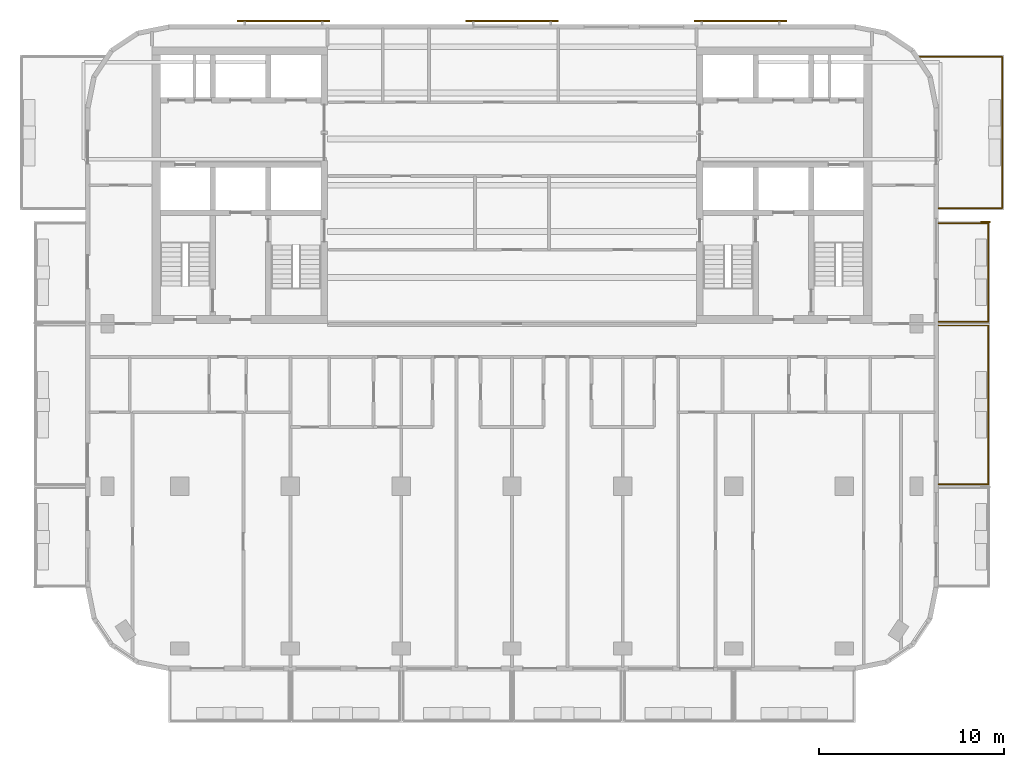
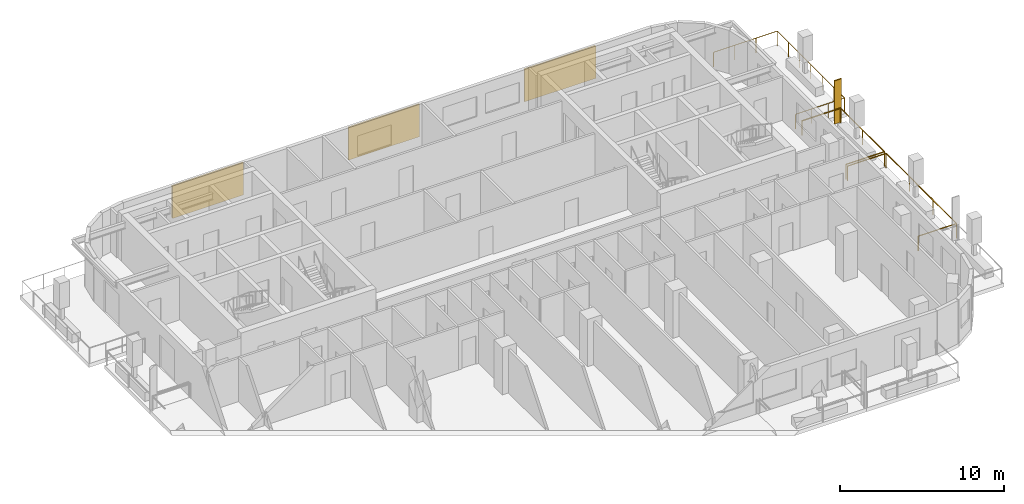
# One storey, part 10 of 11: 4 shading devices, 3 railings.
"""IFC4 building model written with IfcOpenShell, lengths in metres."""

import ifcopenshell
import ifcopenshell.guid

model = None  # the IFC model being written
_history = None  # IfcOwnerHistory: only IFC2X3 demands one
_inside = {}  # id of a spatial element -> (the spatial element, [elements in it])
_under = {}  # id of a project, library or spatial element -> (it, [spatial elements below it])
_declared = {}  # id of a project -> (the project, [libraries it declares])
_typed = {}  # id of a type object -> (the type object, [elements of that type])
_made_of = {}  # id of a material, layer set ... -> (it, [elements and type objects made of it])


def new_model(schema):
    """Start an empty IFC model of exactly this schema.

    Asked for "IFC4X3", IfcOpenShell would pick the latest addendum, in which some entities
    have other attributes; the version numbers below select the first issue.
    IFC2X3 requires an IfcOwnerHistory on every rooted entity: one is made here for all.
    """
    global model, _history
    if schema == "IFC4X3":
        model = ifcopenshell.file(schema_version=(4, 3, 0, 0))
    else:
        model = ifcopenshell.file(schema=schema)
    _inside.clear()
    _under.clear()
    _declared.clear()
    _typed.clear()
    _made_of.clear()
    _history = None
    if model.schema == "IFC2X3":
        org = make("IfcOrganization", Name="unknown")
        user = make(
            "IfcPersonAndOrganization",
            ThePerson=make("IfcPerson", FamilyName="unknown"),
            TheOrganization=org,
        )
        app = make(
            "IfcApplication",
            ApplicationDeveloper=org,
            Version="unknown",
            ApplicationFullName="unknown",
            ApplicationIdentifier="unknown",
        )
        _history = make(
            "IfcOwnerHistory",
            OwningUser=user,
            OwningApplication=app,
            ChangeAction="ADDED",
            CreationDate=0,
        )
    return model


def make(cls, **values):
    """One entity of the class cls with the attributes given. An attribute that is None is left unset."""
    return model.create_entity(
        cls, **{name: value for name, value in values.items() if value is not None}
    )


def rooted(cls, **values):
    """An entity with a GlobalId (a new one), such as an element, a storey or a relation."""
    return make(cls, GlobalId=ifcopenshell.guid.new(), OwnerHistory=_history, **values)


def si_unit(unit_type, name, prefix=None):
    """IfcSIUnit, for example si_unit("LENGTHUNIT", "METRE", prefix="MILLI")."""
    return make("IfcSIUnit", UnitType=unit_type, Prefix=prefix, Name=name)


def assignment(units):
    """IfcUnitAssignment: the units of a project."""
    return None if units is None else make("IfcUnitAssignment", Units=units)


def point(xyz):
    """IfcCartesianPoint."""
    return None if xyz is None else make("IfcCartesianPoint", Coordinates=xyz)


def direction(xyz):
    """IfcDirection."""
    return None if xyz is None else make("IfcDirection", DirectionRatios=xyz)


def frame(location, z_axis=None, x_axis=None):
    """IfcAxis2Placement3D, a coordinate frame: its origin and axes. An axis left out is left unset."""
    return make(
        "IfcAxis2Placement3D",
        Location=point(location),
        Axis=direction(z_axis),
        RefDirection=direction(x_axis),
    )


def frame_2d(location, x_axis=None):
    """IfcAxis2Placement2D, a coordinate frame in the plane: its origin and x axis."""
    return make(
        "IfcAxis2Placement2D", Location=point(location), RefDirection=direction(x_axis)
    )


def origin():
    """The frame at (0, 0, 0) with its axes left unset."""
    return frame((0.0, 0.0, 0.0))


def origin_2d():
    """The frame at (0, 0) in the plane with its x axis left unset."""
    return frame_2d((0.0, 0.0))


def place(relative_to, where):
    """IfcLocalPlacement: puts the frame where relative to a parent placement (None: the world)."""
    return make(
        "IfcLocalPlacement", PlacementRelTo=relative_to, RelativePlacement=where
    )


def context(
    kind, dimensions, precision=None, world=None, true_north=None, identifier=None
):
    """IfcGeometricRepresentationContext, for example the 3D "Model" context."""
    return make(
        "IfcGeometricRepresentationContext",
        ContextIdentifier=identifier,
        ContextType=kind,
        CoordinateSpaceDimension=dimensions,
        Precision=precision,
        WorldCoordinateSystem=world,
        TrueNorth=true_north,
    )


def subcontext(parent, identifier, kind, view, scale=None):
    """IfcGeometricRepresentationSubContext, for example "Body" below "Model"."""
    return make(
        "IfcGeometricRepresentationSubContext",
        ContextIdentifier=identifier,
        ContextType=kind,
        ParentContext=parent,
        TargetScale=scale,
        TargetView=view,
    )


def project(units=None, contexts=None):
    """IfcProject with its units and contexts."""
    return rooted(
        "IfcProject",
        Name="project",
        RepresentationContexts=contexts,
        UnitsInContext=assignment(units),
    )


def spatial(cls, under=None, at=None, **own):
    """A site, building, storey or space (cls), placed at a placement, below another one or the project."""
    s = rooted(cls, ObjectPlacement=at, **own)
    if under is not None:
        _under.setdefault(under.id(), (under, []))[1].append(s)
    return s


def profile(cls, at=None, kind="AREA", **sizes):
    """A parametric profile (cls). Its sizes go by their IFC names, for example OverallWidth=200.0."""
    return make(cls, ProfileType=kind, Position=at, **sizes)


def rectangle(**sizes):
    """IfcRectangleProfileDef."""
    return profile("IfcRectangleProfileDef", **sizes)


def circle(**sizes):
    """IfcCircleProfileDef."""
    return profile("IfcCircleProfileDef", **sizes)


def extrude(swept, where, along, depth):
    """IfcExtrudedAreaSolid: the profile swept, set in the frame where, extruded along a direction by depth."""
    return make(
        "IfcExtrudedAreaSolid",
        SweptArea=swept,
        Position=where,
        ExtrudedDirection=direction(along),
        Depth=depth,
    )


def shape(context_of_items, identifier, shape_type, items):
    """IfcShapeRepresentation: the items that make up one representation, for example the "Body"."""
    return make(
        "IfcShapeRepresentation",
        ContextOfItems=context_of_items,
        RepresentationIdentifier=identifier,
        RepresentationType=shape_type,
        Items=items,
    )


def material(Name=None, Category=None):
    """IfcMaterial."""
    return make("IfcMaterial", Name=Name, Category=Category)


def layer(
    of_material, thickness, ventilated=None, Name=None, Category=None, Priority=None
):
    """IfcMaterialLayer: one layer of a wall or slab, of a material (None: an air gap)."""
    return make(
        "IfcMaterialLayer",
        Material=of_material,
        LayerThickness=thickness,
        IsVentilated=ventilated,
        Name=Name,
        Category=Category,
        Priority=Priority,
    )


def layer_set(layers, Name=None):
    """IfcMaterialLayerSet."""
    return make("IfcMaterialLayerSet", MaterialLayers=layers, LayerSetName=Name)


def made_of(thing, what):
    """Note that an element or type object is made of a material, layer set ...; save() writes the relation."""
    if what is not None:
        _made_of.setdefault(what.id(), (what, []))[1].append(thing)
    return thing


def type_object(cls, material=None, **own):
    """A type object (cls), such as IfcWallType, which elements share."""
    return made_of(rooted(cls, **own), material)


def element(
    cls,
    number,
    at=None,
    inside=None,
    cuts=None,
    type_object=None,
    material=None,
    context=None,
    identifier="Body",
    shape_type=None,
    held_by="IfcProductDefinitionShape",
    body=None,
    shapes=None,
    **own,
):
    """One element of the class cls, such as IfcWall. Its Tag is "e" and its number.

    at: its placement. inside: the storey or other place that contains it. cuts: it is an
    opening in that element (IfcRelVoidsElement). A single representation is given by context,
    identifier, shape_type and body (its items); several are given by shapes. held_by: the class
    of the entity that holds the representations. save() writes the other relations.
    """
    e = rooted(cls, Tag="e%d" % number, ObjectPlacement=at, **own)
    if body is not None:
        shapes = [shape(context, identifier, shape_type, body)]
    if shapes is not None:
        e.Representation = make(held_by, Representations=shapes)
    if inside is not None:
        _inside.setdefault(inside.id(), (inside, []))[1].append(e)
    if cuts is not None:
        rooted(
            "IfcRelVoidsElement", RelatingBuildingElement=cuts, RelatedOpeningElement=e
        )
    if type_object is not None:
        _typed.setdefault(type_object.id(), (type_object, []))[1].append(e)
    return made_of(e, material)


def aggregate(whole, parts):
    """IfcRelAggregates: a whole, such as a stair, and the parts it consists of."""
    return rooted("IfcRelAggregates", RelatingObject=whole, RelatedObjects=parts)


def save(model, path):
    """Write the relations noted so far, then the file.

    IfcRelAggregates (storeys below a building ...), IfcRelContainedInSpatialStructure (elements
    in a storey), IfcRelDefinesByType, IfcRelAssociatesMaterial and IfcRelDeclares: one each for
    every whole, place, type object, material and project.
    """
    for whole, parts in _under.values():
        aggregate(whole, parts)
    for where, things in _inside.values():
        rooted(
            "IfcRelContainedInSpatialStructure",
            RelatedElements=things,
            RelatingStructure=where,
        )
    for kind, things in _typed.values():
        rooted("IfcRelDefinesByType", RelatedObjects=things, RelatingType=kind)
    for what, things in _made_of.values():
        rooted("IfcRelAssociatesMaterial", RelatedObjects=things, RelatingMaterial=what)
    for by, libraries in _declared.values():
        rooted("IfcRelDeclares", RelatingContext=by, RelatedDefinitions=libraries)
    model.write(path)


model = new_model("IFC4")

# Units and contexts
model_context = context("Model", 3, precision=1e-05, world=origin(), true_north=direction((0.0, 1.0)))
body_context = subcontext(model_context, "Body", "Model", "MODEL_VIEW")
ifc_project = project(units=[si_unit("LENGTHUNIT", "METRE"), si_unit("AREAUNIT", "SQUARE_METRE"), si_unit("VOLUMEUNIT", "CUBIC_METRE"), si_unit("PLANEANGLEUNIT", "RADIAN"), si_unit("MASSUNIT", "GRAM", prefix="KILO")], contexts=[model_context])

# Site, building, storey
site_placement = place(None, origin())
site = spatial("IfcSite", under=ifc_project, at=site_placement, CompositionType="ELEMENT")
building_placement = place(site_placement, origin())
building = spatial("IfcBuilding", under=site, at=building_placement, Name="Torana Hotel and Residences", CompositionType="ELEMENT")
storey_placement = place(building_placement, frame((0.0, 0.0, 259.60009765625)))
storey = spatial("IfcBuildingStorey", under=building, at=storey_placement, Name="L68", CompositionType="ELEMENT", Elevation=259.60009765625)

# Shading device
ifc_material_1 = material(Name="Black powder coated aluminium", Category="aluminium")
ifc_layer_1 = layer(ifc_material_1, 0.080078125)
ifc_layer_set_1 = layer_set([ifc_layer_1], Name="FN1 VERTICAL FIN 500x80")
shading_device_type_1 = type_object("IfcShadingDeviceType", Name="FN1 VERTICAL FIN 500x80", PredefinedType="USERDEFINED", material=ifc_layer_set_1)
shading_device_placement = place(storey_placement, frame((25.64990234375, -9.489990234375, 0.0), z_axis=(0.0, 0.0, 1.0), x_axis=(0.0, -1.0, 0.0)))
element("IfcShadingDevice", 1, at=shading_device_placement, inside=storey, type_object=shading_device_type_1, Name="Fin 13", ObjectType="FIN", PredefinedType="USERDEFINED", context=body_context, shape_type="SweptSolid", body=[
    extrude(rectangle(XDim=0.080078125, YDim=0.5, at=origin_2d()), origin(), (0.0, 0.0, 1.0), 3.219970703125),
])

# Railings
ifc_material_2 = material(Name="Laminated glass balustrade with black handrail", Category="glass")
railing_type = type_object("IfcRailingType", Name="GR1 BALCONY GUARD 1100 GLASS", PredefinedType="GUARDRAIL", material=ifc_material_2)
railing_1_placement = place(storey_placement, frame((23.10009765625, -15.10009765625, 0.0)))
element("IfcRailing", 2, at=railing_1_placement, inside=storey, type_object=railing_type, Name="Balcony guard 12", PredefinedType="GUARDRAIL", context=body_context, shape_type="SweptSolid", body=[
    extrude(circle(Radius=0.02392578125, at=origin_2d()), frame((0.0, 0.0, 1.076171875), z_axis=(1.0, 0.0, 0.0), x_axis=(0.0, 1.0, 0.0)), (0.0, 0.0, 1.0), 2.699951171875),
    extrude(circle(Radius=0.02392578125, at=origin_2d()), frame((2.699951171875, 0.0, 1.076171875), z_axis=(0.0, -1.0, 0.0), x_axis=(1.0, 0.0, 0.0)), (0.0, 0.0, 1.0), 8.599853515625),
    extrude(circle(Radius=0.02392578125, at=origin_2d()), frame((2.699951171875, -8.599853515625, 1.076171875), z_axis=(-1.0, 0.0, 0.0), x_axis=(0.0, -1.0, 0.0)), (0.0, 0.0, 1.0), 2.699951171875),
    extrude(circle(Radius=0.02099609375, at=origin_2d()), origin(), (0.0, 0.0, 1.0), 1.052001953125),
    extrude(circle(Radius=0.02099609375, at=origin_2d()), frame((2.699951171875, 0.0, 0.0)), (0.0, 0.0, 1.0), 1.052001953125),
    extrude(circle(Radius=0.02099609375, at=origin_2d()), frame((2.699951171875, -2.86669921875, 0.0)), (0.0, 0.0, 1.0), 1.052001953125),
    extrude(circle(Radius=0.02099609375, at=origin_2d()), frame((2.699951171875, -5.733154296875, 0.0)), (0.0, 0.0, 1.0), 1.052001953125),
    extrude(circle(Radius=0.02099609375, at=origin_2d()), frame((2.699951171875, -8.599853515625, 0.0)), (0.0, 0.0, 1.0), 1.052001953125),
    extrude(circle(Radius=0.02099609375, at=origin_2d()), frame((0.0, -8.599853515625, 0.0)), (0.0, 0.0, 1.0), 1.052001953125),
])
railing_2_placement = place(storey_placement, frame((23.10009765625, -9.550048828125, 0.0)))
element("IfcRailing", 3, at=railing_2_placement, inside=storey, type_object=railing_type, Name="Balcony guard 13", PredefinedType="GUARDRAIL", context=body_context, shape_type="SweptSolid", body=[
    extrude(circle(Radius=0.02392578125, at=origin_2d()), frame((0.0, 0.0, 1.076171875), z_axis=(1.0, 0.0, 0.0), x_axis=(0.0, 1.0, 0.0)), (0.0, 0.0, 1.0), 2.699951171875),
    extrude(circle(Radius=0.02392578125, at=origin_2d()), frame((2.699951171875, 0.0, 1.076171875), z_axis=(0.0, -1.0, 0.0), x_axis=(1.0, 0.0, 0.0)), (0.0, 0.0, 1.0), 5.349853515625),
    extrude(circle(Radius=0.02392578125, at=origin_2d()), frame((2.699951171875, -5.349853515625, 1.076171875), z_axis=(-1.0, 0.0, 0.0), x_axis=(0.0, -1.0, 0.0)), (0.0, 0.0, 1.0), 2.699951171875),
    extrude(circle(Radius=0.02099609375, at=origin_2d()), origin(), (0.0, 0.0, 1.0), 1.052001953125),
    extrude(circle(Radius=0.02099609375, at=origin_2d()), frame((2.699951171875, 0.0, 0.0)), (0.0, 0.0, 1.0), 1.052001953125),
    extrude(circle(Radius=0.02099609375, at=origin_2d()), frame((2.699951171875, -2.6748046875, 0.0)), (0.0, 0.0, 1.0), 1.052001953125),
    extrude(circle(Radius=0.02099609375, at=origin_2d()), frame((2.699951171875, -5.349853515625, 0.0)), (0.0, 0.0, 1.0), 1.052001953125),
    extrude(circle(Radius=0.02099609375, at=origin_2d()), frame((0.0, -5.349853515625, 0.0)), (0.0, 0.0, 1.0), 1.052001953125),
])
railing_3_placement = place(storey_placement, frame((22.07080078125, -0.550048828125, 0.0)))
element("IfcRailing", 4, at=railing_3_placement, inside=storey, type_object=railing_type, Name="Balcony guard 14", PredefinedType="GUARDRAIL", context=body_context, shape_type="SweptSolid", body=[
    extrude(circle(Radius=0.02392578125, at=origin_2d()), frame((0.0, 0.0, 1.076171875), z_axis=(1.0, 0.0, 0.0), x_axis=(0.0, 1.0, 0.0)), (0.0, 0.0, 1.0), 4.479248046875),
    extrude(circle(Radius=0.02392578125, at=origin_2d()), frame((4.479248046875, 0.0, 1.076171875), z_axis=(0.0, -1.0, 0.0), x_axis=(1.0, 0.0, 0.0)), (0.0, 0.0, 1.0), 8.199951171875),
    extrude(circle(Radius=0.02392578125, at=origin_2d()), frame((4.479248046875, -8.199951171875, 1.076171875), z_axis=(-1.0, 0.0, 0.0), x_axis=(0.0, -1.0, 0.0)), (0.0, 0.0, 1.0), 3.449951171875),
    extrude(circle(Radius=0.02099609375, at=origin_2d()), origin(), (0.0, 0.0, 1.0), 1.052001953125),
    extrude(circle(Radius=0.02099609375, at=origin_2d()), frame((1.4931640625, 0.0, 0.0)), (0.0, 0.0, 1.0), 1.052001953125),
    extrude(circle(Radius=0.02099609375, at=origin_2d()), frame((2.986083984375, 0.0, 0.0)), (0.0, 0.0, 1.0), 1.052001953125),
    extrude(circle(Radius=0.02099609375, at=origin_2d()), frame((4.479248046875, 0.0, 0.0)), (0.0, 0.0, 1.0), 1.052001953125),
    extrude(circle(Radius=0.02099609375, at=origin_2d()), frame((4.479248046875, -1.36669921875, 0.0)), (0.0, 0.0, 1.0), 1.052001953125),
    extrude(circle(Radius=0.02099609375, at=origin_2d()), frame((4.479248046875, -2.7333984375, 0.0)), (0.0, 0.0, 1.0), 1.052001953125),
    extrude(circle(Radius=0.02099609375, at=origin_2d()), frame((4.479248046875, -4.10009765625, 0.0)), (0.0, 0.0, 1.0), 1.052001953125),
    extrude(circle(Radius=0.02099609375, at=origin_2d()), frame((4.479248046875, -5.466552734375, 0.0)), (0.0, 0.0, 1.0), 1.052001953125),
    extrude(circle(Radius=0.02099609375, at=origin_2d()), frame((4.479248046875, -6.833251953125, 0.0)), (0.0, 0.0, 1.0), 1.052001953125),
    extrude(circle(Radius=0.02099609375, at=origin_2d()), frame((4.479248046875, -8.199951171875, 0.0)), (0.0, 0.0, 1.0), 1.052001953125),
    extrude(circle(Radius=0.02099609375, at=origin_2d()), frame((3.329345703125, -8.199951171875, 0.0)), (0.0, 0.0, 1.0), 1.052001953125),
    extrude(circle(Radius=0.02099609375, at=origin_2d()), frame((2.17919921875, -8.199951171875, 0.0)), (0.0, 0.0, 1.0), 1.052001953125),
    extrude(circle(Radius=0.02099609375, at=origin_2d()), frame((1.029296875, -8.199951171875, 0.0)), (0.0, 0.0, 1.0), 1.052001953125),
])

# Shading devices
ifc_material_3 = material(Name="Concrete C40/50 precast", Category="concrete")
ifc_layer_2 = layer(ifc_material_3, 0.10009765625)
ifc_layer_set_2 = layer_set([ifc_layer_2], Name="SC1 PERFORATED BLOCK SCREEN PANEL 100")
shading_device_type_2 = type_object("IfcShadingDeviceType", Name="SC1 PERFORATED BLOCK SCREEN PANEL 100", PredefinedType="USERDEFINED", material=ifc_layer_set_2)
for number, where, z_axis, x_axis, name in (
    (5, (12.383544921875, 1.39990234375, 0.5), (0.0, 0.0, 1.0), (-1.0, 0.0, 0.0), "Perforated block screen L68"),
    (6, (0.0, 1.39990234375, 0.5), (0.0, 0.0, 1.0), (-1.0, 0.0, 0.0), "Perforated block screen L68"),
    (7, (-12.383544921875, 1.39990234375, 0.5), (0.0, 0.0, 1.0), (-1.0, 0.0, 0.0), "Perforated block screen L68"),
):
    element("IfcShadingDevice", number, at=place(storey_placement, frame(where, z_axis=z_axis, x_axis=x_axis)), inside=storey, type_object=shading_device_type_2, Name=name, ObjectType="SCREEN", PredefinedType="USERDEFINED", context=body_context, shape_type="SweptSolid", body=[
        extrude(rectangle(XDim=5.0, YDim=0.10009765625, at=origin_2d()), origin(), (0.0, 0.0, 1.0), 2.419921875),
    ])

save(model, "model.ifc")
